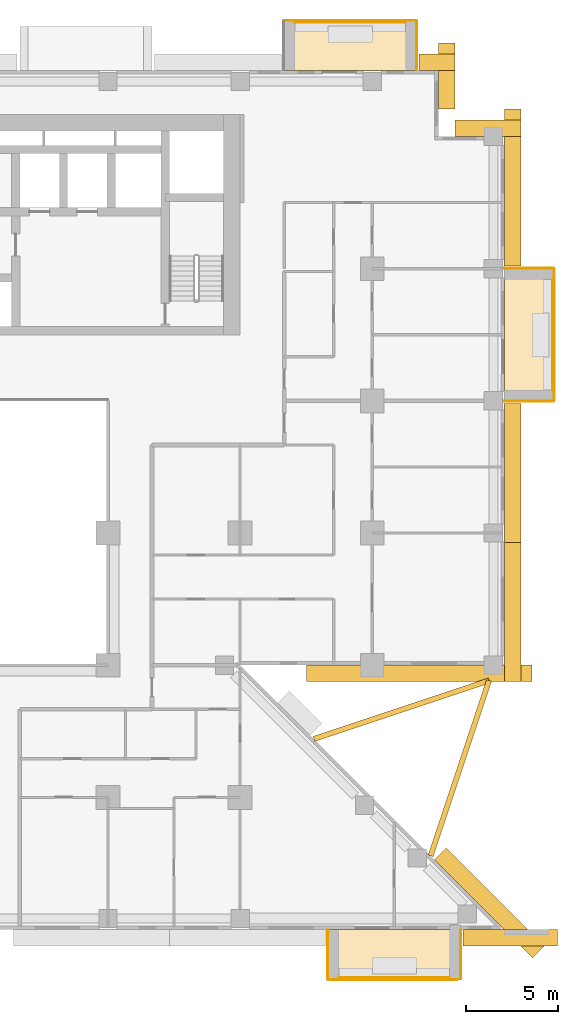
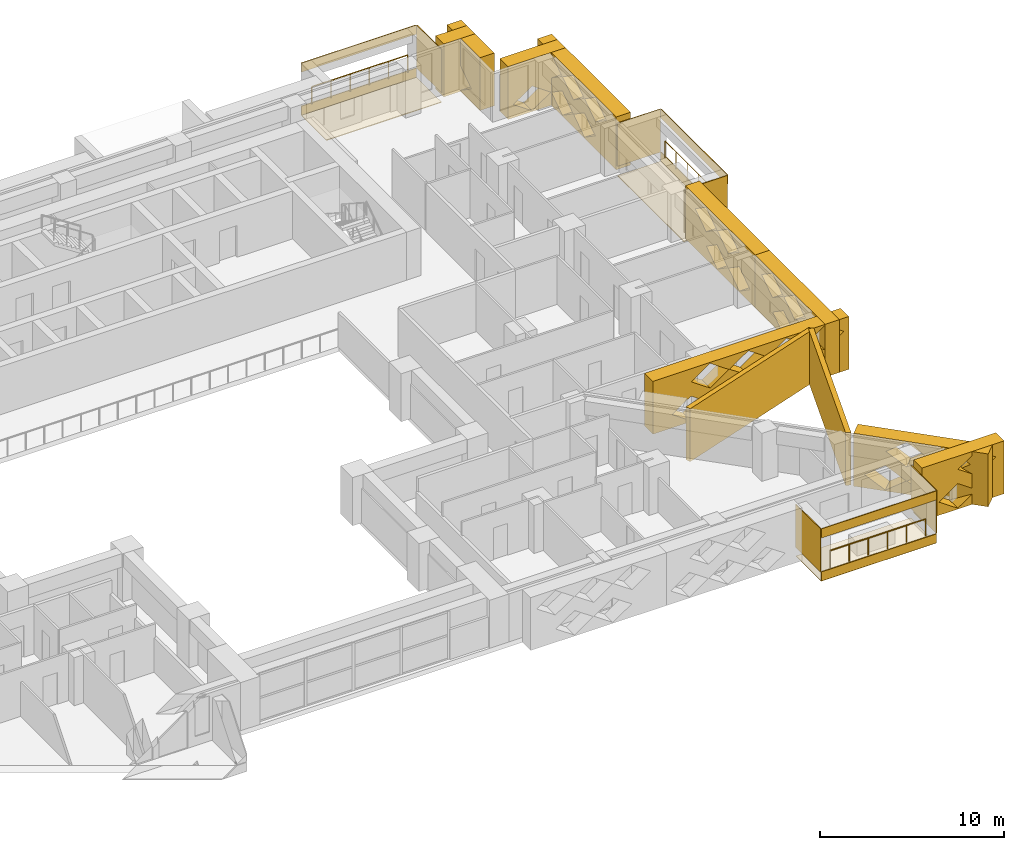
# One storey, part 17 of 17: 25 coverings, 3 railings.
"""IFC4 building model written with IfcOpenShell, lengths in metres."""

from ifc_helpers import new_model, si_unit, direction, frame, origin, origin_2d, place, context, subcontext, project, spatial, polyline, circle, outline, extrude, material, layer, layer_set, type_object, element, save


model = new_model("IFC4")

# Units and contexts
model_context = context("Model", 3, precision=1e-05, world=origin(), true_north=direction((0.0, 1.0)))
body_context = subcontext(model_context, "Body", "Model", "MODEL_VIEW")
ifc_project = project(units=[si_unit("LENGTHUNIT", "METRE"), si_unit("AREAUNIT", "SQUARE_METRE"), si_unit("VOLUMEUNIT", "CUBIC_METRE"), si_unit("PLANEANGLEUNIT", "RADIAN"), si_unit("MASSUNIT", "GRAM", prefix="KILO")], contexts=[model_context])

# Site, building, storey
site_placement = place(None, origin())
site = spatial("IfcSite", under=ifc_project, at=site_placement, CompositionType="ELEMENT")
building_placement = place(site_placement, origin())
building = spatial("IfcBuilding", under=site, at=building_placement, Name="Saffron Iwan Residences", CompositionType="ELEMENT")
storey_placement = place(building_placement, frame((0.0, 0.0, 76.0)))
storey = spatial("IfcBuildingStorey", under=building, at=storey_placement, Name="L19", CompositionType="ELEMENT", Elevation=76.0)

# Railings
ifc_material_1 = material(Name="Stainless steel 316", Category="steel")
railing_type = type_object("IfcRailingType", Name="BALCONY GUARD 1150", PredefinedType="GUARDRAIL", material=ifc_material_1)
railing_1_placement = place(storey_placement, frame((89.02490234375, 63.0, 0.0)))
element("IfcRailing", 1, at=railing_1_placement, inside=storey, type_object=railing_type, Name="Balcony guard L19 F2-0", PredefinedType="GUARDRAIL", context=body_context, shape_type="SweptSolid", body=[
    extrude(circle(Radius=0.02392578125, at=origin_2d()), frame((0.0, 0.0, 1.1259765625), z_axis=(0.0, 1.0, 0.0), x_axis=(-1.0, 0.0, 0.0)), (0.0, 0.0, 1.0), 6.0),
    extrude(circle(Radius=0.02099609375, at=origin_2d()), origin(), (0.0, 0.0, 1.0), 1.101806640625),
    extrude(circle(Radius=0.02099609375, at=origin_2d()), frame((0.0, 1.199951171875, 0.0)), (0.0, 0.0, 1.0), 1.101806640625),
    extrude(circle(Radius=0.02099609375, at=origin_2d()), frame((0.0, 2.39990234375, 0.0)), (0.0, 0.0, 1.0), 1.101806640625),
    extrude(circle(Radius=0.02099609375, at=origin_2d()), frame((0.0, 3.60009765625, 0.0)), (0.0, 0.0, 1.0), 1.101806640625),
    extrude(circle(Radius=0.02099609375, at=origin_2d()), frame((0.0, 4.800048828125, 0.0)), (0.0, 0.0, 1.0), 1.101806640625),
    extrude(circle(Radius=0.02099609375, at=origin_2d()), frame((0.0, 6.0, 0.0)), (0.0, 0.0, 1.0), 1.101806640625),
])
railing_2_placement = place(storey_placement, frame((81.0, 83.02490234375, 0.0)))
element("IfcRailing", 2, at=railing_2_placement, inside=storey, type_object=railing_type, Name="Balcony guard L19 F5-0", PredefinedType="GUARDRAIL", context=body_context, shape_type="SweptSolid", body=[
    extrude(circle(Radius=0.02392578125, at=origin_2d()), frame((0.0, 0.0, 1.1259765625), z_axis=(-1.0, 0.0, 0.0), x_axis=(0.0, -1.0, 0.0)), (0.0, 0.0, 1.0), 6.0),
    extrude(circle(Radius=0.02099609375, at=origin_2d()), origin(), (0.0, 0.0, 1.0), 1.101806640625),
    extrude(circle(Radius=0.02099609375, at=origin_2d()), frame((-1.199951171875, 0.0, 0.0)), (0.0, 0.0, 1.0), 1.101806640625),
    extrude(circle(Radius=0.02099609375, at=origin_2d()), frame((-2.39990234375, 0.0, 0.0)), (0.0, 0.0, 1.0), 1.101806640625),
    extrude(circle(Radius=0.02099609375, at=origin_2d()), frame((-3.60009765625, 0.0, 0.0)), (0.0, 0.0, 1.0), 1.101806640625),
    extrude(circle(Radius=0.02099609375, at=origin_2d()), frame((-4.800048828125, 0.0, 0.0)), (0.0, 0.0, 1.0), 1.101806640625),
    extrude(circle(Radius=0.02099609375, at=origin_2d()), frame((-6.0, 0.0, 0.0)), (0.0, 0.0, 1.0), 1.101806640625),
])
railing_3_placement = place(storey_placement, frame((77.39990234375, 30.97509765625, 0.0)))
element("IfcRailing", 3, at=railing_3_placement, inside=storey, type_object=railing_type, Name="Balcony guard L19 11-3", PredefinedType="GUARDRAIL", context=body_context, shape_type="SweptSolid", body=[
    extrude(circle(Radius=0.02392578125, at=origin_2d()), frame((0.0, 0.0, 1.1259765625), z_axis=(1.0, 0.0, 0.0), x_axis=(0.0, 1.0, 0.0)), (0.0, 0.0, 1.0), 6.0),
    extrude(circle(Radius=0.02099609375, at=origin_2d()), origin(), (0.0, 0.0, 1.0), 1.101806640625),
    extrude(circle(Radius=0.02099609375, at=origin_2d()), frame((1.199951171875, 0.0, 0.0)), (0.0, 0.0, 1.0), 1.101806640625),
    extrude(circle(Radius=0.02099609375, at=origin_2d()), frame((2.39990234375, 0.0, 0.0)), (0.0, 0.0, 1.0), 1.101806640625),
    extrude(circle(Radius=0.02099609375, at=origin_2d()), frame((3.60009765625, 0.0, 0.0)), (0.0, 0.0, 1.0), 1.101806640625),
    extrude(circle(Radius=0.02099609375, at=origin_2d()), frame((4.800048828125, 0.0, 0.0)), (0.0, 0.0, 1.0), 1.101806640625),
    extrude(circle(Radius=0.02099609375, at=origin_2d()), frame((6.0, 0.0, 0.0)), (0.0, 0.0, 1.0), 1.101806640625),
])

# Coverings
ifc_material_2 = material(Name="Precast concrete C40/50 white painted", Category="concrete")
ifc_layer_1 = layer(ifc_material_2, 0.050048828125)
ifc_layer_set_1 = layer_set([ifc_layer_1], Name="Precast concrete C40/50 white painted")
covering_type_1 = type_object("IfcCoveringType", Name="FRAME SKIN PRECAST WHITE 50", PredefinedType="CLADDING", material=ifc_layer_set_1)
for number, where, name in (
    (4, (0.0, 0.0, -0.60009765625), "Frame skin slab edge L19 F2-0"),
    (5, (0.0, 0.0, 2.25), "Frame skin fascia L19 F2-0"),
):
    element("IfcCovering", number, at=place(storey_placement, frame(where)), inside=storey, type_object=covering_type_1, Name=name, PredefinedType="CLADDING", context=body_context, shape_type="SweptSolid", body=[
        extrude(outline(polyline([(89.14990234375, 62.39990234375), (89.14990234375, 69.60009765625), (89.10009765625, 69.60009765625), (89.10009765625, 62.39990234375), (89.14990234375, 62.39990234375)])), origin(), (0.0, 0.0, 1.0), 0.60009765625),
    ])
covering_1_placement = place(storey_placement, frame((0.0, 0.0, -0.64990234375)))
element("IfcCovering", 6, at=covering_1_placement, inside=storey, type_object=covering_type_1, Name="Frame skin soffit L19 F2-0", PredefinedType="CLADDING", context=body_context, shape_type="SweptSolid", body=[
    extrude(outline(polyline([(89.10009765625, 62.39990234375), (89.10009765625, 69.60009765625), (86.39990234375, 69.60009765625), (86.39990234375, 62.39990234375), (89.10009765625, 62.39990234375)])), origin(), (0.0, 0.0, 1.0), 0.0498046875),
])
covering_2_placement = place(storey_placement, origin())
element("IfcCovering", 7, at=covering_2_placement, inside=storey, type_object=covering_type_1, Name="Frame skin fin L19 F2-0a", PredefinedType="CLADDING", context=body_context, shape_type="SweptSolid", body=[
    extrude(outline(polyline([(89.10009765625, 62.35009765625), (89.10009765625, 62.39990234375), (86.39990234375, 62.39990234375), (86.39990234375, 62.35009765625), (89.10009765625, 62.35009765625)])), origin(), (0.0, 0.0, 1.0), 2.85009765625),
])
covering_3_placement = place(storey_placement, origin())
element("IfcCovering", 8, at=covering_3_placement, inside=storey, type_object=covering_type_1, Name="Frame skin fin L19 F2-0b", PredefinedType="CLADDING", context=body_context, shape_type="SweptSolid", body=[
    extrude(outline(polyline([(89.10009765625, 69.60009765625), (89.10009765625, 69.64990234375), (86.39990234375, 69.64990234375), (86.39990234375, 69.60009765625), (89.10009765625, 69.60009765625)])), origin(), (0.0, 0.0, 1.0), 2.85009765625),
])
for number, where, name in (
    (9, (0.0, 0.0, -0.60009765625), "Frame skin slab edge L19 F5-0"),
    (10, (0.0, 0.0, 2.25), "Frame skin fascia L19 F5-0"),
):
    element("IfcCovering", number, at=place(storey_placement, frame(where)), inside=storey, type_object=covering_type_1, Name=name, PredefinedType="CLADDING", context=body_context, shape_type="SweptSolid", body=[
        extrude(outline(polyline([(81.60009765625, 83.14990234375), (74.39990234375, 83.14990234375), (74.39990234375, 83.10009765625), (81.60009765625, 83.10009765625), (81.60009765625, 83.14990234375)])), origin(), (0.0, 0.0, 1.0), 0.60009765625),
    ])
covering_4_placement = place(storey_placement, frame((0.0, 0.0, -0.64990234375)))
element("IfcCovering", 11, at=covering_4_placement, inside=storey, type_object=covering_type_1, Name="Frame skin soffit L19 F5-0", PredefinedType="CLADDING", context=body_context, shape_type="SweptSolid", body=[
    extrude(outline(polyline([(81.60009765625, 83.10009765625), (74.39990234375, 83.10009765625), (74.39990234375, 80.39990234375), (81.60009765625, 80.39990234375), (81.60009765625, 83.10009765625)])), origin(), (0.0, 0.0, 1.0), 0.0498046875),
])
covering_5_placement = place(storey_placement, origin())
element("IfcCovering", 12, at=covering_5_placement, inside=storey, type_object=covering_type_1, Name="Frame skin fin L19 F5-0a", PredefinedType="CLADDING", context=body_context, shape_type="SweptSolid", body=[
    extrude(outline(polyline([(81.64990234375, 83.10009765625), (81.60009765625, 83.10009765625), (81.60009765625, 80.39990234375), (81.64990234375, 80.39990234375), (81.64990234375, 83.10009765625)])), origin(), (0.0, 0.0, 1.0), 2.85009765625),
])
for number, where, name in (
    (13, (0.0, 0.0, -0.60009765625), "Frame skin slab edge L19 11-3"),
    (14, (0.0, 0.0, 2.25), "Frame skin fascia L19 11-3"),
):
    element("IfcCovering", number, at=place(storey_placement, frame(where)), inside=storey, type_object=covering_type_1, Name=name, PredefinedType="CLADDING", context=body_context, shape_type="SweptSolid", body=[
        extrude(outline(polyline([(76.800048828125, 30.85009765625), (84.0, 30.85009765625), (84.0, 30.89990234375), (76.800048828125, 30.89990234375), (76.800048828125, 30.85009765625)])), origin(), (0.0, 0.0, 1.0), 0.60009765625),
    ])
covering_6_placement = place(storey_placement, frame((0.0, 0.0, -0.64990234375)))
element("IfcCovering", 15, at=covering_6_placement, inside=storey, type_object=covering_type_1, Name="Frame skin soffit L19 11-3", PredefinedType="CLADDING", context=body_context, shape_type="SweptSolid", body=[
    extrude(outline(polyline([(76.800048828125, 30.89990234375), (84.0, 30.89990234375), (84.0, 33.60009765625), (76.800048828125, 33.60009765625), (76.800048828125, 30.89990234375)])), origin(), (0.0, 0.0, 1.0), 0.0498046875),
])
covering_7_placement = place(storey_placement, origin())
element("IfcCovering", 16, at=covering_7_placement, inside=storey, type_object=covering_type_1, Name="Frame skin fin L19 11-3a", PredefinedType="CLADDING", context=body_context, shape_type="SweptSolid", body=[
    extrude(outline(polyline([(76.75, 30.89990234375), (76.800048828125, 30.89990234375), (76.800048828125, 33.60009765625), (76.75, 33.60009765625), (76.75, 30.89990234375)])), origin(), (0.0, 0.0, 1.0), 2.85009765625),
])
covering_8_placement = place(storey_placement, origin())
element("IfcCovering", 17, at=covering_8_placement, inside=storey, type_object=covering_type_1, Name="Frame skin fin L19 11-3b", PredefinedType="CLADDING", context=body_context, shape_type="SweptSolid", body=[
    extrude(outline(polyline([(84.0, 30.89990234375), (84.050048828125, 30.89990234375), (84.050048828125, 33.60009765625), (84.0, 33.60009765625), (84.0, 30.89990234375)])), origin(), (0.0, 0.0, 1.0), 2.85009765625),
])
ifc_material_3 = material(Name="Precast concrete C40/50", Category="concrete")
covering_type_2 = type_object("IfcCoveringType", Name="OUTER SKIN LATTICE SCREEN", PredefinedType="CLADDING", material=ifc_material_3)
covering_9_placement = place(storey_placement, frame((87.939453125, 32.060546875, -0.320068359375), z_axis=(0.706971125213, 0.70724241114, 0.0), x_axis=(-0.70724241114, 0.706971125213, 0.0)))
element("IfcCovering", 18, at=covering_9_placement, inside=storey, type_object=covering_type_2, Name="OUTER SKIN lattice screen L19 F0.0", PredefinedType="CLADDING", context=body_context, shape_type="SweptSolid", body=[
    extrude(outline(polyline([(0.0, 0.0), (7.559326171875, 0.0), (7.559326171875, 3.5), (0.0, 3.5), (0.0, 0.0)]), holes=[polyline([(2.197021484375, 0.875), (3.377197265625, 0.06005859375), (4.55712890625, 0.875), (3.377197265625, 1.68994140625), (2.197021484375, 0.875)]), polyline([(4.59716796875, 0.875), (5.777099609375, 0.06005859375), (6.95703125, 0.875), (5.777099609375, 1.68994140625), (4.59716796875, 0.875)]), polyline([(0.9970703125, 2.625), (2.177001953125, 1.81005859375), (3.357177734375, 2.625), (2.177001953125, 3.43994140625), (0.9970703125, 2.625)]), polyline([(3.397216796875, 2.625), (4.5771484375, 1.81005859375), (5.757080078125, 2.625), (4.5771484375, 3.43994140625), (3.397216796875, 2.625)])]), origin(), (0.0, 0.0, 1.0), 0.89990234375),
])
covering_10_placement = place(storey_placement, frame((75.6171875, 48.0, -0.320068359375), z_axis=(0.0, -1.0, 0.0), x_axis=(1.0, 0.0, 0.0)))
element("IfcCovering", 19, at=covering_10_placement, inside=storey, type_object=covering_type_2, Name="OUTER SKIN lattice screen L19 F1.0", PredefinedType="CLADDING", context=body_context, shape_type="SweptSolid", body=[
    extrude(outline(polyline([(0.0, 0.0), (12.282958984375, 0.0), (12.282958984375, 3.5), (0.0, 3.5), (0.0, 0.0)]), holes=[polyline([(1.202880859375, 0.875), (2.3828125, 0.06005859375), (3.56298828125, 0.875), (2.3828125, 1.68994140625), (1.202880859375, 0.875)]), polyline([(3.602783203125, 0.875), (4.782958984375, 0.06005859375), (5.962890625, 0.875), (4.782958984375, 1.68994140625), (3.602783203125, 0.875)]), polyline([(6.0029296875, 0.875), (7.182861328125, 0.06005859375), (8.36279296875, 0.875), (7.182861328125, 1.68994140625), (6.0029296875, 0.875)]), polyline([(8.40283203125, 0.875), (9.5830078125, 0.06005859375), (10.762939453125, 0.875), (9.5830078125, 1.68994140625), (8.40283203125, 0.875)]), polyline([(2.40283203125, 2.625), (3.5830078125, 1.81005859375), (4.762939453125, 2.625), (3.5830078125, 3.43994140625), (2.40283203125, 2.625)]), polyline([(4.802978515625, 2.625), (5.98291015625, 1.81005859375), (7.162841796875, 2.625), (5.98291015625, 3.43994140625), (4.802978515625, 2.625)]), polyline([(7.202880859375, 2.625), (8.3828125, 1.81005859375), (9.56298828125, 2.625), (8.3828125, 3.43994140625), (7.202880859375, 2.625)]), polyline([(9.602783203125, 2.625), (10.782958984375, 1.81005859375), (11.962890625, 2.625), (10.782958984375, 3.43994140625), (9.602783203125, 2.625)])]), origin(), (0.0, 0.0, 1.0), 0.89990234375),
])
covering_11_placement = place(storey_placement, frame((86.39990234375, 47.10009765625, -0.320068359375), z_axis=(1.0, 0.0, 0.0), x_axis=(0.0, 1.0, 0.0)))
element("IfcCovering", 20, at=covering_11_placement, inside=storey, type_object=covering_type_2, Name="OUTER SKIN lattice screen L19 F2.0", PredefinedType="CLADDING", context=body_context, shape_type="SweptSolid", body=[
    extrude(outline(polyline([(0.0, 0.0), (7.574951171875, 0.0), (7.574951171875, 3.5), (0.0, 3.5), (0.0, 0.0)]), holes=[polyline([(0.919921875, 0.875), (2.10009765625, 0.06005859375), (3.280029296875, 0.875), (2.10009765625, 1.68994140625), (0.919921875, 0.875)]), polyline([(3.320068359375, 0.875), (4.5, 0.06005859375), (5.679931640625, 0.875), (4.5, 1.68994140625), (3.320068359375, 0.875)]), polyline([(2.1201171875, 2.625), (3.300048828125, 1.81005859375), (4.47998046875, 2.625), (3.300048828125, 3.43994140625), (2.1201171875, 2.625)]), polyline([(4.52001953125, 2.625), (5.699951171875, 1.81005859375), (6.8798828125, 2.625), (5.699951171875, 3.43994140625), (4.52001953125, 2.625)])]), origin(), (0.0, 0.0, 1.0), 0.900146484375),
])
covering_12_placement = place(storey_placement, frame((86.39990234375, 54.675048828125, -0.320068359375), z_axis=(1.0, 0.0, 0.0), x_axis=(0.0, 1.0, 0.0)))
element("IfcCovering", 21, at=covering_12_placement, inside=storey, type_object=covering_type_2, Name="OUTER SKIN lattice screen L19 F2.1", PredefinedType="CLADDING", context=body_context, shape_type="SweptSolid", body=[
    extrude(outline(polyline([(0.0, 0.0), (7.574951171875, 0.0), (7.574951171875, 3.5), (0.0, 3.5), (0.0, 0.0)]), holes=[polyline([(0.544921875, 0.875), (1.72509765625, 0.06005859375), (2.905029296875, 0.875), (1.72509765625, 1.68994140625), (0.544921875, 0.875)]), polyline([(2.945068359375, 0.875), (4.125, 0.06005859375), (5.304931640625, 0.875), (4.125, 1.68994140625), (2.945068359375, 0.875)]), polyline([(1.7451171875, 2.625), (2.925048828125, 1.81005859375), (4.10498046875, 2.625), (2.925048828125, 3.43994140625), (1.7451171875, 2.625)]), polyline([(4.14501953125, 2.625), (5.324951171875, 1.81005859375), (6.5048828125, 2.625), (5.324951171875, 3.43994140625), (4.14501953125, 2.625)])]), origin(), (0.0, 0.0, 1.0), 0.900146484375),
])
covering_13_placement = place(storey_placement, frame((86.39990234375, 69.75, -0.320068359375), z_axis=(1.0, 0.0, 0.0), x_axis=(0.0, 1.0, 0.0)))
element("IfcCovering", 22, at=covering_13_placement, inside=storey, type_object=covering_type_2, Name="OUTER SKIN lattice screen L19 F2.2", PredefinedType="CLADDING", context=body_context, shape_type="SweptSolid", body=[
    extrude(outline(polyline([(0.0, 0.0), (8.550048828125, 0.0), (8.550048828125, 3.5), (0.0, 3.5), (0.0, 0.0)]), holes=[polyline([(2.27001953125, 0.875), (3.449951171875, 0.06005859375), (4.6298828125, 0.875), (3.449951171875, 1.68994140625), (2.27001953125, 0.875)]), polyline([(4.669921875, 0.875), (5.85009765625, 0.06005859375), (7.030029296875, 0.875), (5.85009765625, 1.68994140625), (4.669921875, 0.875)]), polyline([(1.070068359375, 2.625), (2.25, 1.81005859375), (3.429931640625, 2.625), (2.25, 3.43994140625), (1.070068359375, 2.625)]), polyline([(3.469970703125, 2.625), (4.64990234375, 1.81005859375), (5.830078125, 2.625), (4.64990234375, 3.43994140625), (3.469970703125, 2.625)]), polyline([(5.8701171875, 2.625), (7.050048828125, 1.81005859375), (8.22998046875, 2.625), (7.050048828125, 3.43994140625), (5.8701171875, 2.625)])]), origin(), (0.0, 0.0, 1.0), 0.900146484375),
])
for number, where, z_axis, x_axis, name in (
    (23, (87.300048828125, 76.800048828125, -0.320068359375), (0.0, 1.0, 0.0), (-1.0, 0.0, 0.0), "OUTER SKIN lattice screen L19 F3.0"),
    (24, (82.800048828125, 78.300048828125, -0.320068359375), (1.0, 0.0, 0.0), (0.0, 1.0, 0.0), "OUTER SKIN lattice screen L19 F4.0"),
):
    element("IfcCovering", number, at=place(storey_placement, frame(where, z_axis=z_axis, x_axis=x_axis)), inside=storey, type_object=covering_type_2, Name=name, PredefinedType="CLADDING", context=body_context, shape_type="SweptSolid", body=[
        extrude(outline(polyline([(0.0, 0.0), (3.60009765625, 0.0), (3.60009765625, 3.5), (0.0, 3.5), (0.0, 0.0)]), holes=[polyline([(0.919921875, 0.875), (2.10009765625, 0.06005859375), (3.280029296875, 0.875), (2.10009765625, 1.68994140625), (0.919921875, 0.875)])]), origin(), (0.0, 0.0, 1.0), 0.89990234375),
    ])
covering_14_placement = place(storey_placement, frame((83.699951171875, 80.39990234375, -0.320068359375), z_axis=(0.0, 1.0, 0.0), x_axis=(-1.0, 0.0, 0.0)))
element("IfcCovering", 25, at=covering_14_placement, inside=storey, type_object=covering_type_2, Name="OUTER SKIN lattice screen L19 F5.0", PredefinedType="CLADDING", context=body_context, shape_type="SweptSolid", body=[
    extrude(outline(polyline([(0.0, 0.0), (1.949951171875, 0.0), (1.949951171875, 3.5), (0.0, 3.5), (0.0, 0.0)])), origin(), (0.0, 0.0, 1.0), 0.900146484375),
])
covering_15_placement = place(storey_placement, frame((84.14990234375, 33.60009765625, -0.320068359375), z_axis=(0.0, -1.0, 0.0), x_axis=(1.0, 0.0, 0.0)))
element("IfcCovering", 26, at=covering_15_placement, inside=storey, type_object=covering_type_2, Name="OUTER SKIN lattice screen L19 F11.4", PredefinedType="CLADDING", context=body_context, shape_type="SweptSolid", body=[
    extrude(outline(polyline([(0.0, 0.0), (5.147216796875, 0.0), (5.147216796875, 3.5), (0.0, 3.5), (0.0, 0.0)]), holes=[polyline([(1.070068359375, 0.875), (2.25, 0.06005859375), (3.429931640625, 0.875), (2.25, 1.68994140625), (1.070068359375, 0.875)]), polyline([(2.27001953125, 2.625), (3.449951171875, 1.81005859375), (4.6298828125, 2.625), (3.449951171875, 3.43994140625), (2.27001953125, 2.625)])]), origin(), (0.0, 0.0, 1.0), 0.900146484375),
])
ifc_layer_2 = layer(ifc_material_2, 0.300048828125)
ifc_layer_set_2 = layer_set([ifc_layer_2], Name="Precast concrete C40/50 white painted")
covering_type_3 = type_object("IfcCoveringType", Name="PROW NOSE BLADE PRECAST WHITE", PredefinedType="CLADDING", material=ifc_layer_set_2)
covering_16_placement = place(storey_placement, frame((0.0, 0.0, -0.320068359375)))
element("IfcCovering", 27, at=covering_16_placement, inside=storey, type_object=covering_type_3, Name="Prow nose blade L19 a", PredefinedType="CLADDING", context=body_context, shape_type="SweptSolid", body=[
    extrude(outline(polyline([(82.5244140625, 37.570556640625), (85.706298828125, 47.116455078125), (85.421630859375, 47.21142578125), (82.23974609375, 37.66552734375), (82.5244140625, 37.570556640625)])), origin(), (0.0, 0.0, 1.0), 3.5),
])
covering_17_placement = place(storey_placement, frame((0.0, 0.0, -0.320068359375)))
element("IfcCovering", 28, at=covering_17_placement, inside=storey, type_object=covering_type_3, Name="Prow nose blade L19 b", PredefinedType="CLADDING", context=body_context, shape_type="SweptSolid", body=[
    extrude(outline(polyline([(76.0654296875, 43.839599609375), (85.611328125, 47.021728515625), (85.5166015625, 47.306396484375), (75.970703125, 44.124267578125), (76.0654296875, 43.839599609375)])), origin(), (0.0, 0.0, 1.0), 3.5),
])

save(model, "model.ifc")
